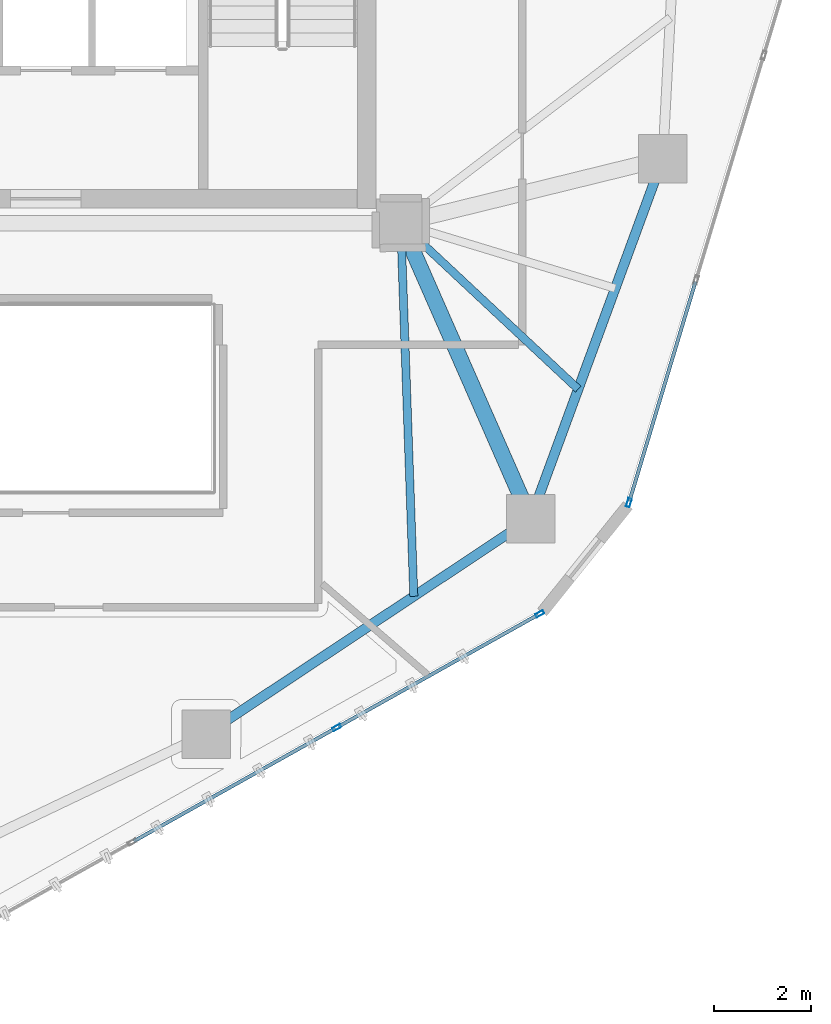
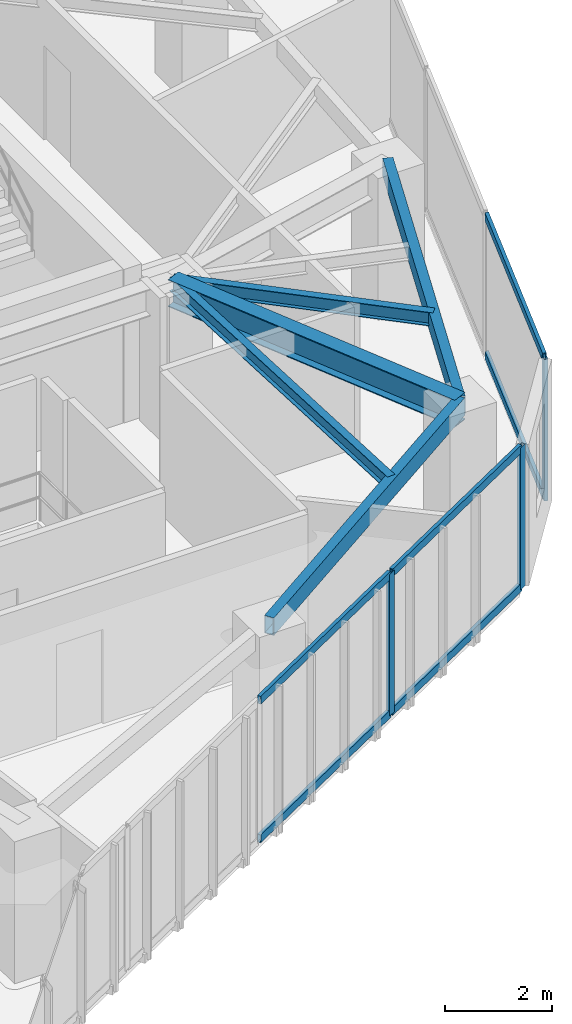
# One storey, part 5 of 19: 9 members, 5 beams, 2 elements without a shape of their own.
"""IFC4 building model written with IfcOpenShell, lengths in metres."""

from ifc_helpers import new_model, si_unit, direction, frame, origin, origin_2d, place, context, subcontext, project, spatial, hollow_rectangle, i_section, extrude, source, transform, mapped, material, layer, layer_set, material_profile, profile_set, type_object, type_shapes, element, aggregate, save


model = new_model("IFC4")

# Units and contexts
model_context = context("Model", 3, precision=1e-05, world=origin(), true_north=direction((0.0, 1.0)))
body_context = subcontext(model_context, "Body", "Model", "MODEL_VIEW")
ifc_project = project(units=[si_unit("LENGTHUNIT", "METRE"), si_unit("AREAUNIT", "SQUARE_METRE"), si_unit("VOLUMEUNIT", "CUBIC_METRE"), si_unit("PLANEANGLEUNIT", "RADIAN"), si_unit("MASSUNIT", "GRAM", prefix="KILO")], contexts=[model_context])

# Site, building, storey
site_placement = place(None, origin())
site = spatial("IfcSite", under=ifc_project, at=site_placement, CompositionType="ELEMENT")
building_placement = place(site_placement, origin())
building = spatial("IfcBuilding", under=site, at=building_placement, Name="Talar Marvaseh", CompositionType="ELEMENT")
storey_placement = place(building_placement, frame((0.0, 0.0, 177.5)))
storey = spatial("IfcBuildingStorey", under=building, at=storey_placement, Name="L46", CompositionType="ELEMENT", Elevation=177.5)

# Beams
ifc_material_1 = material(Name="Steel S355", Category="steel")
ifc_material_profile_1 = material_profile(ifc_material_1, hollow_rectangle(XDim=0.199951171875, YDim=0.39990234375, WallThickness=0.013916015625, at=origin_2d()), Name="RHS400x200x14")
ifc_profile_set_1 = profile_set([ifc_material_profile_1], Name="Steel S355")
beam_type_1 = type_object("IfcBeamType", Name="Zone 3 Perimeter Spandrel Beam RHS400x200x14", PredefinedType="SPANDREL", material=ifc_profile_set_1)
beam_1_placement = place(storey_placement, frame((38.68896484375, 26.823974609375, 3.030029296875), z_axis=(-0.344742291376, -0.938697370049, 0.0), x_axis=(0.938697370049, -0.344742291376, 0.0)))
element("IfcBeam", 1, at=beam_1_placement, inside=storey, type_object=beam_type_1, Name="L46 Zone 3 Perimeter Spandrel Beam RHS400x200x14", PredefinedType="SPANDREL", context=body_context, shape_type="SweptSolid", body=[
    extrude(hollow_rectangle(XDim=0.199951171875, YDim=0.39990234375, WallThickness=0.013916015625, at=origin_2d()), origin(), (0.0, 0.0, 1.0), 7.88427734375),
])
beam_2_placement = place(storey_placement, frame((35.970947265625, 19.423095703125, 3.030029296875), z_axis=(-0.833127464163, -0.553081032452, 0.0), x_axis=(0.553081032452, -0.833127464163, 0.0)))
element("IfcBeam", 2, at=beam_2_placement, inside=storey, type_object=beam_type_1, Name="L46 Zone 3 Perimeter Spandrel Beam RHS400x200x14", PredefinedType="SPANDREL", context=body_context, shape_type="SweptSolid", body=[
    extrude(hollow_rectangle(XDim=0.199951171875, YDim=0.39990234375, WallThickness=0.013916015625, at=origin_2d()), origin(), (0.0, 0.0, 1.0), 8.00830078125),
])
ifc_material_profile_2 = material_profile(ifc_material_1, i_section(OverallWidth=0.324951171875, OverallDepth=0.615966796875, WebThickness=0.013916015625, FlangeThickness=0.021484375, at=origin_2d()), Name="W610x174")
ifc_profile_set_2 = profile_set([ifc_material_profile_2], Name="Steel S355")
beam_type_2 = type_object("IfcBeamType", Name="Zone 3 Radial Floor Girder W610x174", PredefinedType="BEAM", material=ifc_profile_set_2)
beam_3_placement = place(storey_placement, frame((35.970947265625, 19.423095703125, 2.922119140625), z_axis=(-0.402367581672, 0.91547819702, 0.0), x_axis=(-0.91547819702, -0.402367581672, 0.0)))
element("IfcBeam", 3, at=beam_3_placement, inside=storey, type_object=beam_type_2, Name="L46 Zone 3 Radial Floor Girder W610x174", PredefinedType="BEAM", context=body_context, shape_type="SweptSolid", body=[
    extrude(i_section(OverallWidth=0.324951171875, OverallDepth=0.615966796875, WebThickness=0.013916015625, FlangeThickness=0.021484375, at=origin_2d()), origin(), (0.0, 0.0, 1.0), 6.637939453125),
])
ifc_material_profile_3 = material_profile(ifc_material_1, i_section(OverallWidth=0.166015625, OverallDepth=0.31298828125, WebThickness=0.006591796875, FlangeThickness=0.01123046875, at=origin_2d()), Name="W310x45")
ifc_profile_set_3 = profile_set([ifc_material_profile_3], Name="Steel S355")
beam_type_3 = type_object("IfcBeamType", Name="Zone 3 Secondary Floor Joist W310x45", PredefinedType="JOIST", material=ifc_profile_set_3)
beam_4_placement = place(storey_placement, frame((36.949462890625, 22.08740234375, 3.073486328125), z_axis=(-0.730408226886, 0.683010850643, 0.0), x_axis=(-0.683010850643, -0.730408226886, 0.0)))
element("IfcBeam", 4, at=beam_4_placement, inside=storey, type_object=beam_type_3, Name="L46 Zone 3 Secondary Floor Joist W310x45", PredefinedType="JOIST", context=body_context, shape_type="SweptSolid", body=[
    extrude(i_section(OverallWidth=0.166015625, OverallDepth=0.31298828125, WebThickness=0.006591796875, FlangeThickness=0.01123046875, at=origin_2d()), origin(), (0.0, 0.0, 1.0), 4.996337890625),
])
beam_5_placement = place(storey_placement, frame((33.569091796875, 17.82861328125, 3.073486328125), z_axis=(-0.035049421089, 0.999385580285, 0.0), x_axis=(-0.999385580285, -0.035049421089, 0.0)))
element("IfcBeam", 5, at=beam_5_placement, inside=storey, type_object=beam_type_3, Name="L46 Zone 3 Secondary Floor Joist W310x45", PredefinedType="JOIST", context=body_context, shape_type="SweptSolid", body=[
    extrude(i_section(OverallWidth=0.166015625, OverallDepth=0.31298828125, WebThickness=0.006591796875, FlangeThickness=0.01123046875, at=origin_2d()), origin(), (0.0, 0.0, 1.0), 7.676025390625),
])

# Curtain wall, member
ifc_material_2 = material(Name="Architectural Aluminium", Category="aluminium")
ifc_layer = layer(ifc_material_2, 0.18994140625)
ifc_layer_set = layer_set([ifc_layer], Name="Architectural Aluminium")
curtain_wall_type = type_object("IfcCurtainWallType", Name="Unitised Solar Atelier Curtain Wall Z3", PredefinedType="NOTDEFINED", material=ifc_layer_set)
curtain_wall_1_placement = place(storey_placement, origin())
curtain_wall_1 = element("IfcCurtainWall", 6, at=curtain_wall_1_placement, inside=storey, type_object=curtain_wall_type, Name="L46 Unitised Solar Atelier Curtain Wall Z3", PredefinedType="NOTDEFINED")
ifc_material_profile_4 = material_profile(ifc_material_2, hollow_rectangle(XDim=0.074951171875, YDim=0.179931640625, WallThickness=0.0048828125, at=origin_2d()), Name="RHS180x75x5")
ifc_profile_set_4 = profile_set([ifc_material_profile_4], Name="Architectural Aluminium")
member_type_1 = type_object("IfcMemberType", Name="Unitised Curtain Wall Standard Mullion RHS180x75x5", PredefinedType="MULLION", material=ifc_profile_set_4)
shared_shape_1 = source(origin(), body_context, "Body", "SweptSolid", [
    extrude(hollow_rectangle(XDim=0.074951171875, YDim=0.179931640625, WallThickness=0.0048828125, at=origin_2d()), origin(), (0.0, 0.0, 1.0), 3.22998046875),
])
type_shapes(member_type_1, [shared_shape_1])
member_1_placement = place(storey_placement, frame((37.992919921875, 19.7529296875, 0.0), z_axis=(0.0, 0.0, 1.0), x_axis=(0.957526109569, -0.288346578779, 0.0)))
member_1 = element("IfcMember", 7, at=member_1_placement, type_object=member_type_1, Name="CW-Z3 mullion 5", PredefinedType="MULLION", context=body_context, shape_type="MappedRepresentation", body=[
    mapped(shared_shape_1, transform((0.0, 0.0, 0.0), x_axis=(1.0, 0.0, 0.0), y_axis=(0.0, 1.0, 0.0), z_axis=(0.0, 0.0, 1.0), scale=1.0)),
])

# Curtain wall, members
curtain_wall_2_placement = place(storey_placement, origin())
curtain_wall_2 = element("IfcCurtainWall", 8, at=curtain_wall_2_placement, inside=storey, type_object=curtain_wall_type, Name="L46 Unitised Solar Atelier Curtain Wall Z3", PredefinedType="NOTDEFINED")
member_2_placement = place(storey_placement, frame((36.158935546875, 17.46826171875, 0.0), z_axis=(0.0, 0.0, 1.0), x_axis=(0.488755550357, -0.872420776916, 0.0)))
member_2 = element("IfcMember", 9, at=member_2_placement, type_object=member_type_1, Name="CW-Z3 mullion 1", PredefinedType="MULLION", context=body_context, shape_type="MappedRepresentation", body=[
    mapped(shared_shape_1, transform((0.0, 0.0, 0.0), x_axis=(1.0, 0.0, 0.0), y_axis=(0.0, 1.0, 0.0), z_axis=(0.0, 0.0, 1.0), scale=1.0)),
])
member_3_placement = place(storey_placement, frame((31.98486328125, 15.1298828125, 0.0), z_axis=(0.0, 0.0, 1.0), x_axis=(0.488755550357, -0.872420776916, 0.0)))
member_3 = element("IfcMember", 10, at=member_3_placement, type_object=member_type_1, Name="CW-Z3 mullion 2", PredefinedType="MULLION", context=body_context, shape_type="MappedRepresentation", body=[
    mapped(shared_shape_1, transform((0.0, 0.0, 0.0), x_axis=(1.0, 0.0, 0.0), y_axis=(0.0, 1.0, 0.0), z_axis=(0.0, 0.0, 1.0), scale=1.0)),
])

# Member
ifc_material_profile_5 = material_profile(ifc_material_2, hollow_rectangle(XDim=0.074951171875, YDim=0.179931640625, WallThickness=0.0048828125, at=origin_2d()), Name="RHS180x75x5")
ifc_profile_set_5 = profile_set([ifc_material_profile_5], Name="Architectural Aluminium")
member_type_2 = type_object("IfcMemberType", Name="Unitised Curtain Wall Transom RHS180x75x5", PredefinedType="USERDEFINED", material=ifc_profile_set_5)
shared_shape_2 = source(origin(), body_context, "Body", "SweptSolid", [
    extrude(hollow_rectangle(XDim=0.074951171875, YDim=0.179931640625, WallThickness=0.0048828125, at=origin_2d()), origin(), (0.0, 0.0, 1.0), 4.70947265625),
])
member_4_placement = place(storey_placement, frame((39.361572265625, 24.29833984375, 0.03759765625), z_axis=(-0.288332211811, -0.957530435878, 0.0), x_axis=(0.957530435878, -0.288332211811, 0.0)))
member_4 = element("IfcMember", 11, at=member_4_placement, type_object=member_type_2, Name="CW-Z3 transom 4.1", ObjectType="TRANSOM", PredefinedType="USERDEFINED", context=body_context, shape_type="MappedRepresentation", body=[
    mapped(shared_shape_2, transform((0.0, 0.0, 0.0), x_axis=(1.0, 0.0, 0.0), y_axis=(0.0, 1.0, 0.0), z_axis=(0.0, 0.0, 1.0), scale=1.0)),
])

member_5_placement = place(storey_placement, frame((39.361572265625, 24.29833984375, 3.1923828125), z_axis=(-0.288332211811, -0.957530435878, 0.0), x_axis=(0.957530435878, -0.288332211811, 0.0)))
member_5 = element("IfcMember", 12, at=member_5_placement, type_object=member_type_2, Name="CW-Z3 transom 4.2", ObjectType="TRANSOM", PredefinedType="USERDEFINED", context=body_context, shape_type="MappedRepresentation", body=[
    mapped(shared_shape_2, transform((0.0, 0.0, 0.0), x_axis=(1.0, 0.0, 0.0), y_axis=(0.0, 1.0, 0.0), z_axis=(0.0, 0.0, 1.0), scale=1.0)),
])

aggregate(curtain_wall_1, [member_1, member_4, member_5])

member_6_placement = place(storey_placement, frame((36.126220703125, 17.449951171875, 0.03759765625), z_axis=(-0.872422907071, -0.488751748046, 0.0), x_axis=(0.488751748046, -0.872422907071, 0.0)))
member_6 = element("IfcMember", 13, at=member_6_placement, type_object=member_type_2, Name="CW-Z3 transom 1.1", ObjectType="TRANSOM", PredefinedType="USERDEFINED", context=body_context, shape_type="MappedRepresentation", body=[
    mapped(shared_shape_2, transform((0.0, 0.0, 0.0), x_axis=(1.0, 0.0, 0.0), y_axis=(0.0, 1.0, 0.0), z_axis=(0.0, 0.0, 1.0), scale=1.0)),
])

member_7_placement = place(storey_placement, frame((36.126220703125, 17.449951171875, 3.1923828125), z_axis=(-0.872422907071, -0.488751748046, 0.0), x_axis=(0.488751748046, -0.872422907071, 0.0)))
member_7 = element("IfcMember", 14, at=member_7_placement, type_object=member_type_2, Name="CW-Z3 transom 1.2", ObjectType="TRANSOM", PredefinedType="USERDEFINED", context=body_context, shape_type="MappedRepresentation", body=[
    mapped(shared_shape_2, transform((0.0, 0.0, 0.0), x_axis=(1.0, 0.0, 0.0), y_axis=(0.0, 1.0, 0.0), z_axis=(0.0, 0.0, 1.0), scale=1.0)),
])

shared_shape_3 = source(origin(), body_context, "Body", "SweptSolid", [
    extrude(hollow_rectangle(XDim=0.074951171875, YDim=0.179931640625, WallThickness=0.0048828125, at=origin_2d()), origin(), (0.0, 0.0, 1.0), 4.7470703125),
])
type_shapes(member_type_2, [shared_shape_2, shared_shape_3])
member_8_placement = place(storey_placement, frame((31.9521484375, 15.111572265625, 0.03759765625), z_axis=(-0.872402510492, -0.488788154201, 0.0), x_axis=(0.488788154201, -0.872402510492, 0.0)))
member_8 = element("IfcMember", 15, at=member_8_placement, type_object=member_type_2, Name="CW-Z3 transom 2.1", ObjectType="TRANSOM", PredefinedType="USERDEFINED", context=body_context, shape_type="MappedRepresentation", body=[
    mapped(shared_shape_3, transform((0.0, 0.0, 0.0), x_axis=(1.0, 0.0, 0.0), y_axis=(0.0, 1.0, 0.0), z_axis=(0.0, 0.0, 1.0), scale=1.0)),
])

member_9_placement = place(storey_placement, frame((31.9521484375, 15.111572265625, 3.1923828125), z_axis=(-0.872402510492, -0.488788154201, 0.0), x_axis=(0.488788154201, -0.872402510492, 0.0)))
member_9 = element("IfcMember", 16, at=member_9_placement, type_object=member_type_2, Name="CW-Z3 transom 2.2", ObjectType="TRANSOM", PredefinedType="USERDEFINED", context=body_context, shape_type="MappedRepresentation", body=[
    mapped(shared_shape_3, transform((0.0, 0.0, 0.0), x_axis=(1.0, 0.0, 0.0), y_axis=(0.0, 1.0, 0.0), z_axis=(0.0, 0.0, 1.0), scale=1.0)),
])

aggregate(curtain_wall_2, [member_2, member_3, member_6, member_7, member_8, member_9])

save(model, "model.ifc")
